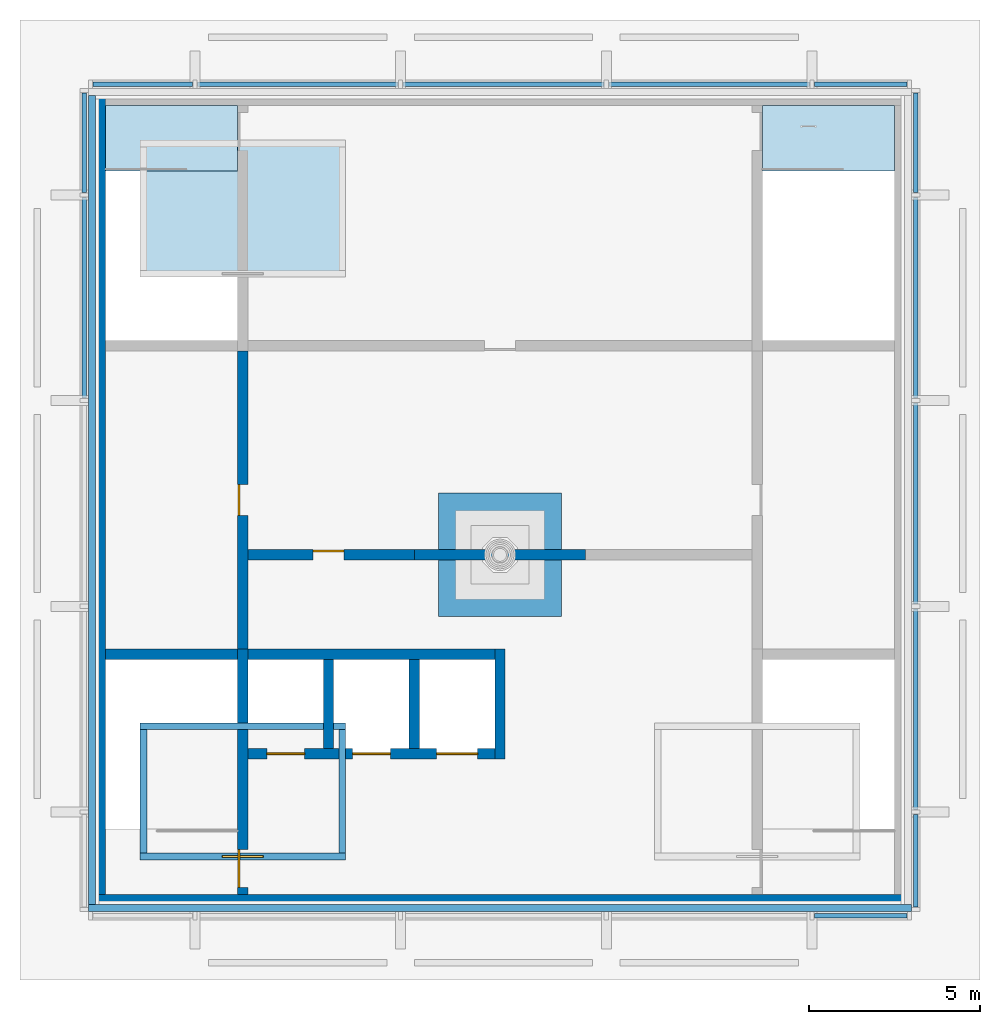
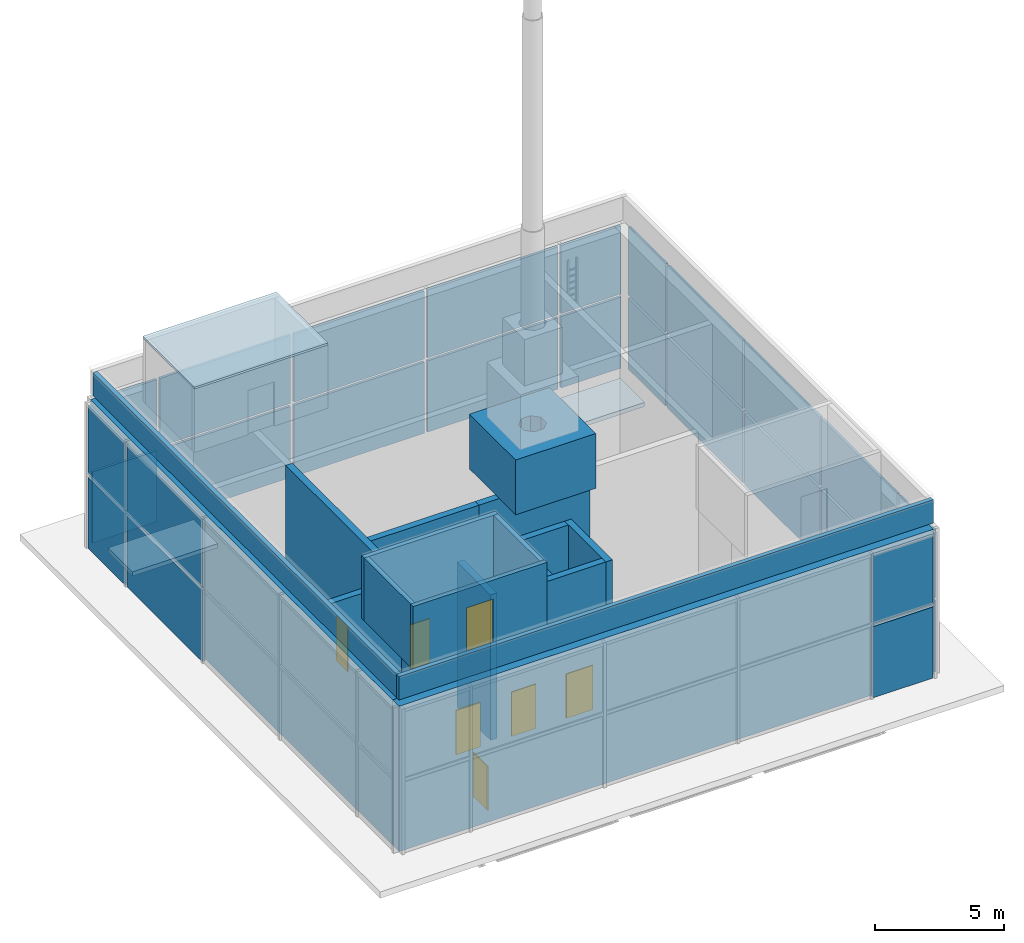
# One storey, part 3 of 8: 27 plates, 19 walls, 7 doors, 2 slabs, 7 openings, 4 elements without a shape of their own.
"""IFC4 building model written with IfcOpenShell, lengths in metres."""

from ifc_helpers import new_model, si_unit, direction, frame, frame_2d, origin, origin_2d, place, context, subcontext, project, spatial, polyline, rectangle, outline, extrude, material, layer, layer_set, type_object, element, fill, aggregate, save


model = new_model("IFC4")

# Units and contexts
model_context = context("Model", 3, precision=1e-05, world=origin(), true_north=direction((0.0, 1.0)))
body_context = subcontext(model_context, "Body", "Model", "MODEL_VIEW")
ifc_project = project(units=[si_unit("LENGTHUNIT", "METRE"), si_unit("AREAUNIT", "SQUARE_METRE"), si_unit("VOLUMEUNIT", "CUBIC_METRE"), si_unit("PLANEANGLEUNIT", "RADIAN"), si_unit("MASSUNIT", "GRAM", prefix="KILO")], contexts=[model_context])

# Site, building, storey
site_placement = place(None, origin())
site = spatial("IfcSite", under=ifc_project, at=site_placement, CompositionType="ELEMENT")
building_placement = place(site_placement, origin())
building = spatial("IfcBuilding", under=site, at=building_placement, Name="Amberfall Residences", CompositionType="ELEMENT")
storey_placement = place(building_placement, frame((0.0, 0.0, 301.60009765625)))
storey = spatial("IfcBuildingStorey", under=building, at=storey_placement, Name="L81 Crown", CompositionType="ELEMENT", Elevation=301.60009765625)

# Curtain wall, plates
ifc_material_1 = material(Name="Bronze anodised aluminium and glass", Category="aluminium")
curtain_wall_type = type_object("IfcCurtainWallType", Name="Curtain wall CW6 crown louvre", PredefinedType="USERDEFINED", material=ifc_material_1)
curtain_wall_1_placement = place(storey_placement, origin())
curtain_wall_1 = element("IfcCurtainWall", 1, at=curtain_wall_1_placement, inside=storey, type_object=curtain_wall_type, Name="Curtain wall L81 Crown S S1", ObjectType="UNITISED CURTAIN WALL", PredefinedType="USERDEFINED")
ifc_material_2 = material(Name="Bronze aluminium louvre", Category="aluminium")
ifc_layer_1 = layer(ifc_material_2, 0.1201171875)
ifc_layer_set_1 = layer_set([ifc_layer_1], Name="CW6 panel 120 louvre")
plate_type_1 = type_object("IfcPlateType", Name="CW6 panel 120 louvre", PredefinedType="CURTAIN_PANEL", material=ifc_layer_set_1)
plate_1_placement = place(storey_placement, frame((85.02001953125, 33.375, 0.0), z_axis=(0.0, 0.0, 1.0), x_axis=(1.0, 0.0, 0.0)))
plate_1 = element("IfcPlate", 2, at=plate_1_placement, type_object=plate_type_1, Name="CW6 panel 5.1", PredefinedType="CURTAIN_PANEL", context=body_context, shape_type="SweptSolid", body=[
    extrude(rectangle(XDim=2.696044921875, YDim=0.1201171875, at=origin_2d()), origin(), (0.0, 0.0, 1.0), 3.375),
])
plate_2_placement = place(storey_placement, frame((85.02001953125, 33.375, 3.52490234375), z_axis=(0.0, 0.0, 1.0), x_axis=(1.0, 0.0, 0.0)))
plate_2 = element("IfcPlate", 3, at=plate_2_placement, type_object=plate_type_1, Name="CW6 panel 5.2", PredefinedType="CURTAIN_PANEL", context=body_context, shape_type="SweptSolid", body=[
    extrude(rectangle(XDim=2.696044921875, YDim=0.1201171875, at=origin_2d()), origin(), (0.0, 0.0, 1.0), 3.22509765625),
])
aggregate(curtain_wall_1, [plate_1, plate_2])

curtain_wall_2_placement = place(storey_placement, origin())
curtain_wall_2 = element("IfcCurtainWall", 4, at=curtain_wall_2_placement, inside=storey, type_object=curtain_wall_type, Name="Curtain wall L81 Crown E E1", ObjectType="UNITISED CURTAIN WALL", PredefinedType="USERDEFINED")
plate_3_placement = place(storey_placement, frame((86.625, 34.97998046875, 0.0), z_axis=(0.0, 0.0, 1.0), x_axis=(0.0, 1.0, 0.0)))
plate_3 = element("IfcPlate", 5, at=plate_3_placement, type_object=plate_type_1, Name="CW6 panel 1.1", PredefinedType="CURTAIN_PANEL", context=body_context, shape_type="SweptSolid", body=[
    extrude(rectangle(XDim=2.696044921875, YDim=0.1201171875, at=origin_2d()), origin(), (0.0, 0.0, 1.0), 3.375),
])
plate_4_placement = place(storey_placement, frame((86.625, 34.97998046875, 3.52490234375), z_axis=(0.0, 0.0, 1.0), x_axis=(0.0, 1.0, 0.0)))
plate_4 = element("IfcPlate", 6, at=plate_4_placement, type_object=plate_type_1, Name="CW6 panel 1.2", PredefinedType="CURTAIN_PANEL", context=body_context, shape_type="SweptSolid", body=[
    extrude(rectangle(XDim=2.696044921875, YDim=0.1201171875, at=origin_2d()), origin(), (0.0, 0.0, 1.0), 3.22509765625),
])
plate_5_placement = place(storey_placement, frame((86.625, 39.39990234375, 0.0), z_axis=(0.0, 0.0, 1.0), x_axis=(0.0, 1.0, 0.0)))
plate_5 = element("IfcPlate", 7, at=plate_5_placement, type_object=plate_type_1, Name="CW6 panel 2.1", PredefinedType="CURTAIN_PANEL", context=body_context, shape_type="SweptSolid", body=[
    extrude(rectangle(XDim=5.85595703125, YDim=0.1201171875, at=origin_2d()), origin(), (0.0, 0.0, 1.0), 3.375),
])
plate_6_placement = place(storey_placement, frame((86.625, 39.39990234375, 3.52490234375), z_axis=(0.0, 0.0, 1.0), x_axis=(0.0, 1.0, 0.0)))
plate_6 = element("IfcPlate", 8, at=plate_6_placement, type_object=plate_type_1, Name="CW6 panel 2.2", PredefinedType="CURTAIN_PANEL", context=body_context, shape_type="SweptSolid", body=[
    extrude(rectangle(XDim=5.85595703125, YDim=0.1201171875, at=origin_2d()), origin(), (0.0, 0.0, 1.0), 3.22509765625),
])
plate_7_placement = place(storey_placement, frame((86.625, 45.39990234375, 0.0), z_axis=(0.0, 0.0, 1.0), x_axis=(0.0, 1.0, 0.0)))
plate_7 = element("IfcPlate", 9, at=plate_7_placement, type_object=plate_type_1, Name="CW6 panel 3.1", PredefinedType="CURTAIN_PANEL", context=body_context, shape_type="SweptSolid", body=[
    extrude(rectangle(XDim=5.85595703125, YDim=0.1201171875, at=origin_2d()), origin(), (0.0, 0.0, 1.0), 3.375),
])
plate_8_placement = place(storey_placement, frame((86.625, 45.39990234375, 3.52490234375), z_axis=(0.0, 0.0, 1.0), x_axis=(0.0, 1.0, 0.0)))
plate_8 = element("IfcPlate", 10, at=plate_8_placement, type_object=plate_type_1, Name="CW6 panel 3.2", PredefinedType="CURTAIN_PANEL", context=body_context, shape_type="SweptSolid", body=[
    extrude(rectangle(XDim=5.85595703125, YDim=0.1201171875, at=origin_2d()), origin(), (0.0, 0.0, 1.0), 3.22509765625),
])
plate_9_placement = place(storey_placement, frame((86.625, 51.39990234375, 0.0), z_axis=(0.0, 0.0, 1.0), x_axis=(0.0, 1.0, 0.0)))
plate_9 = element("IfcPlate", 11, at=plate_9_placement, type_object=plate_type_1, Name="CW6 panel 4.1", PredefinedType="CURTAIN_PANEL", context=body_context, shape_type="SweptSolid", body=[
    extrude(rectangle(XDim=5.85595703125, YDim=0.1201171875, at=origin_2d()), origin(), (0.0, 0.0, 1.0), 3.375),
])
plate_10_placement = place(storey_placement, frame((86.625, 51.39990234375, 3.52490234375), z_axis=(0.0, 0.0, 1.0), x_axis=(0.0, 1.0, 0.0)))
plate_10 = element("IfcPlate", 12, at=plate_10_placement, type_object=plate_type_1, Name="CW6 panel 4.2", PredefinedType="CURTAIN_PANEL", context=body_context, shape_type="SweptSolid", body=[
    extrude(rectangle(XDim=5.85595703125, YDim=0.1201171875, at=origin_2d()), origin(), (0.0, 0.0, 1.0), 3.22509765625),
])
plate_11_placement = place(storey_placement, frame((86.625, 55.919921875, 0.0), z_axis=(0.0, 0.0, 1.0), x_axis=(0.0, 1.0, 0.0)))
plate_11 = element("IfcPlate", 13, at=plate_11_placement, type_object=plate_type_1, Name="CW6 panel 5.1", PredefinedType="CURTAIN_PANEL", context=body_context, shape_type="SweptSolid", body=[
    extrude(rectangle(XDim=2.89599609375, YDim=0.1201171875, at=origin_2d()), origin(), (0.0, 0.0, 1.0), 3.375),
])
plate_12_placement = place(storey_placement, frame((86.625, 55.919921875, 3.52490234375), z_axis=(0.0, 0.0, 1.0), x_axis=(0.0, 1.0, 0.0)))
plate_12 = element("IfcPlate", 14, at=plate_12_placement, type_object=plate_type_1, Name="CW6 panel 5.2", PredefinedType="CURTAIN_PANEL", context=body_context, shape_type="SweptSolid", body=[
    extrude(rectangle(XDim=2.89599609375, YDim=0.1201171875, at=origin_2d()), origin(), (0.0, 0.0, 1.0), 3.22509765625),
])
aggregate(curtain_wall_2, [plate_3, plate_4, plate_5, plate_6, plate_7, plate_8, plate_9, plate_10, plate_11, plate_12])

curtain_wall_3_placement = place(storey_placement, origin())
curtain_wall_3 = element("IfcCurtainWall", 15, at=curtain_wall_3_placement, inside=storey, type_object=curtain_wall_type, Name="Curtain wall L81 Crown N N1", ObjectType="UNITISED CURTAIN WALL", PredefinedType="USERDEFINED")
plate_13_placement = place(storey_placement, frame((85.02001953125, 57.625, 0.0), z_axis=(0.0, 0.0, 1.0), x_axis=(-1.0, 0.0, 0.0)))
plate_13 = element("IfcPlate", 16, at=plate_13_placement, type_object=plate_type_1, Name="CW6 panel 1.1", PredefinedType="CURTAIN_PANEL", context=body_context, shape_type="SweptSolid", body=[
    extrude(rectangle(XDim=2.696044921875, YDim=0.1201171875, at=origin_2d()), origin(), (0.0, 0.0, 1.0), 3.375),
])
plate_14_placement = place(storey_placement, frame((85.02001953125, 57.625, 3.52490234375), z_axis=(0.0, 0.0, 1.0), x_axis=(-1.0, 0.0, 0.0)))
plate_14 = element("IfcPlate", 17, at=plate_14_placement, type_object=plate_type_1, Name="CW6 panel 1.2", PredefinedType="CURTAIN_PANEL", context=body_context, shape_type="SweptSolid", body=[
    extrude(rectangle(XDim=2.696044921875, YDim=0.1201171875, at=origin_2d()), origin(), (0.0, 0.0, 1.0), 3.22509765625),
])
plate_15_placement = place(storey_placement, frame((80.60009765625, 57.625, 0.0), z_axis=(0.0, 0.0, 1.0), x_axis=(-1.0, 0.0, 0.0)))
plate_15 = element("IfcPlate", 18, at=plate_15_placement, type_object=plate_type_1, Name="CW6 panel 2.1", PredefinedType="CURTAIN_PANEL", context=body_context, shape_type="SweptSolid", body=[
    extrude(rectangle(XDim=5.85595703125, YDim=0.1201171875, at=origin_2d()), origin(), (0.0, 0.0, 1.0), 3.375),
])
plate_16_placement = place(storey_placement, frame((80.60009765625, 57.625, 3.52490234375), z_axis=(0.0, 0.0, 1.0), x_axis=(-1.0, 0.0, 0.0)))
plate_16 = element("IfcPlate", 19, at=plate_16_placement, type_object=plate_type_1, Name="CW6 panel 2.2", PredefinedType="CURTAIN_PANEL", context=body_context, shape_type="SweptSolid", body=[
    extrude(rectangle(XDim=5.85595703125, YDim=0.1201171875, at=origin_2d()), origin(), (0.0, 0.0, 1.0), 3.22509765625),
])
plate_17_placement = place(storey_placement, frame((74.60009765625, 57.625, 0.0), z_axis=(0.0, 0.0, 1.0), x_axis=(-1.0, 0.0, 0.0)))
plate_17 = element("IfcPlate", 20, at=plate_17_placement, type_object=plate_type_1, Name="CW6 panel 3.1", PredefinedType="CURTAIN_PANEL", context=body_context, shape_type="SweptSolid", body=[
    extrude(rectangle(XDim=5.85595703125, YDim=0.1201171875, at=origin_2d()), origin(), (0.0, 0.0, 1.0), 3.375),
])
plate_18_placement = place(storey_placement, frame((74.60009765625, 57.625, 3.52490234375), z_axis=(0.0, 0.0, 1.0), x_axis=(-1.0, 0.0, 0.0)))
plate_18 = element("IfcPlate", 21, at=plate_18_placement, type_object=plate_type_1, Name="CW6 panel 3.2", PredefinedType="CURTAIN_PANEL", context=body_context, shape_type="SweptSolid", body=[
    extrude(rectangle(XDim=5.85595703125, YDim=0.1201171875, at=origin_2d()), origin(), (0.0, 0.0, 1.0), 3.22509765625),
])
plate_19_placement = place(storey_placement, frame((68.60009765625, 57.625, 0.0), z_axis=(0.0, 0.0, 1.0), x_axis=(-1.0, 0.0, 0.0)))
plate_19 = element("IfcPlate", 22, at=plate_19_placement, type_object=plate_type_1, Name="CW6 panel 4.1", PredefinedType="CURTAIN_PANEL", context=body_context, shape_type="SweptSolid", body=[
    extrude(rectangle(XDim=5.85595703125, YDim=0.1201171875, at=origin_2d()), origin(), (0.0, 0.0, 1.0), 3.375),
])
plate_20_placement = place(storey_placement, frame((68.60009765625, 57.625, 3.52490234375), z_axis=(0.0, 0.0, 1.0), x_axis=(-1.0, 0.0, 0.0)))
plate_20 = element("IfcPlate", 23, at=plate_20_placement, type_object=plate_type_1, Name="CW6 panel 4.2", PredefinedType="CURTAIN_PANEL", context=body_context, shape_type="SweptSolid", body=[
    extrude(rectangle(XDim=5.85595703125, YDim=0.1201171875, at=origin_2d()), origin(), (0.0, 0.0, 1.0), 3.22509765625),
])
plate_21_placement = place(storey_placement, frame((64.080078125, 57.625, 0.0), z_axis=(0.0, 0.0, 1.0), x_axis=(-1.0, 0.0, 0.0)))
plate_21 = element("IfcPlate", 24, at=plate_21_placement, type_object=plate_type_1, Name="CW6 panel 5.1", PredefinedType="CURTAIN_PANEL", context=body_context, shape_type="SweptSolid", body=[
    extrude(rectangle(XDim=2.89599609375, YDim=0.1201171875, at=origin_2d()), origin(), (0.0, 0.0, 1.0), 3.375),
])
plate_22_placement = place(storey_placement, frame((64.080078125, 57.625, 3.52490234375), z_axis=(0.0, 0.0, 1.0), x_axis=(-1.0, 0.0, 0.0)))
plate_22 = element("IfcPlate", 25, at=plate_22_placement, type_object=plate_type_1, Name="CW6 panel 5.2", PredefinedType="CURTAIN_PANEL", context=body_context, shape_type="SweptSolid", body=[
    extrude(rectangle(XDim=2.89599609375, YDim=0.1201171875, at=origin_2d()), origin(), (0.0, 0.0, 1.0), 3.22509765625),
])
aggregate(curtain_wall_3, [plate_13, plate_14, plate_15, plate_16, plate_17, plate_18, plate_19, plate_20, plate_21, plate_22])

curtain_wall_4_placement = place(storey_placement, origin())
curtain_wall_4 = element("IfcCurtainWall", 26, at=curtain_wall_4_placement, inside=storey, type_object=curtain_wall_type, Name="Curtain wall L81 Crown W W1", ObjectType="UNITISED CURTAIN WALL", PredefinedType="USERDEFINED")
plate_23_placement = place(storey_placement, frame((62.375, 55.919921875, 0.0), z_axis=(0.0, 0.0, 1.0), x_axis=(0.0, -1.0, 0.0)))
plate_23 = element("IfcPlate", 27, at=plate_23_placement, type_object=plate_type_1, Name="CW6 panel 1.1", PredefinedType="CURTAIN_PANEL", context=body_context, shape_type="SweptSolid", body=[
    extrude(rectangle(XDim=2.89599609375, YDim=0.1201171875, at=origin_2d()), origin(), (0.0, 0.0, 1.0), 3.375),
])
plate_24_placement = place(storey_placement, frame((62.375, 55.919921875, 3.52490234375), z_axis=(0.0, 0.0, 1.0), x_axis=(0.0, -1.0, 0.0)))
plate_24 = element("IfcPlate", 28, at=plate_24_placement, type_object=plate_type_1, Name="CW6 panel 1.2", PredefinedType="CURTAIN_PANEL", context=body_context, shape_type="SweptSolid", body=[
    extrude(rectangle(XDim=2.89599609375, YDim=0.1201171875, at=origin_2d()), origin(), (0.0, 0.0, 1.0), 3.22509765625),
])
plate_25_placement = place(storey_placement, frame((62.375, 51.39990234375, 0.0), z_axis=(0.0, 0.0, 1.0), x_axis=(0.0, -1.0, 0.0)))
plate_25 = element("IfcPlate", 29, at=plate_25_placement, type_object=plate_type_1, Name="CW6 panel 2.1", PredefinedType="CURTAIN_PANEL", context=body_context, shape_type="SweptSolid", body=[
    extrude(rectangle(XDim=5.85595703125, YDim=0.1201171875, at=origin_2d()), origin(), (0.0, 0.0, 1.0), 3.375),
])
plate_26_placement = place(storey_placement, frame((62.375, 51.39990234375, 3.52490234375), z_axis=(0.0, 0.0, 1.0), x_axis=(0.0, -1.0, 0.0)))
plate_26 = element("IfcPlate", 30, at=plate_26_placement, type_object=plate_type_1, Name="CW6 panel 2.2", PredefinedType="CURTAIN_PANEL", context=body_context, shape_type="SweptSolid", body=[
    extrude(rectangle(XDim=5.85595703125, YDim=0.1201171875, at=origin_2d()), origin(), (0.0, 0.0, 1.0), 3.22509765625),
])
aggregate(curtain_wall_4, [plate_23, plate_24, plate_25, plate_26])

# Plate
ifc_material_3 = material(Name="Aluminium standing seam roof sheet", Category="aluminium")
ifc_layer_2 = layer(ifc_material_3, 0.10009765625)
ifc_layer_set_2 = layer_set([ifc_layer_2], Name="Plant enclosure roof sheet 100")
plate_type_2 = type_object("IfcPlateType", Name="Plant enclosure roof sheet 100", PredefinedType="SHEET", material=ifc_layer_set_2)
plate_27_placement = place(storey_placement, frame((0.0, 0.0, 10.199951171875)))
element("IfcPlate", 31, at=plate_27_placement, inside=storey, type_object=plate_type_2, Name="Roof plant enclosure 3 roof sheet", PredefinedType="SHEET", context=body_context, shape_type="SweptSolid", body=[
    extrude(outline(polyline([(64.0, 52.0), (70.0, 52.0), (70.0, 56.0), (64.0, 56.0), (64.0, 52.0)])), origin(), (0.0, 0.0, 1.0), 0.099853515625),
])

# Slabs
ifc_material_4 = material(Name="Concrete C40", Category="concrete")
ifc_layer_3 = layer(ifc_material_4, 0.199951171875)
ifc_layer_set_3 = layer_set([ifc_layer_3], Name="Stair landing 200")
slab_type = type_object("IfcSlabType", Name="Stair landing 200", PredefinedType="LANDING", material=ifc_layer_set_3)
slab_1_placement = place(storey_placement, frame((0.0, 0.0, -0.2001953125)))
element("IfcSlab", 32, at=slab_1_placement, inside=storey, type_object=slab_type, Name="L81 Crown stair 3 floor landing", PredefinedType="LANDING", context=body_context, shape_type="SweptSolid", body=[
    extrude(outline(polyline([(82.14990234375, 57.0), (82.14990234375, 55.10009765625), (86.0, 55.10009765625), (86.0, 57.0), (82.14990234375, 57.0)])), origin(), (0.0, 0.0, 1.0), 0.2001953125),
])
slab_2_placement = place(storey_placement, frame((0.0, 0.0, -0.2001953125)))
element("IfcSlab", 33, at=slab_2_placement, inside=storey, type_object=slab_type, Name="L81 Crown stair 4 floor landing", PredefinedType="LANDING", context=body_context, shape_type="SweptSolid", body=[
    extrude(outline(polyline([(63.0, 57.0), (63.0, 55.10009765625), (66.85009765625, 55.10009765625), (66.85009765625, 57.0), (63.0, 57.0)])), origin(), (0.0, 0.0, 1.0), 0.2001953125),
])

# Wall, opening, door
ifc_material_5 = material(Name="Concrete blockwork", Category="masonry")
ifc_layer_4 = layer(ifc_material_5, 0.300048828125)
ifc_layer_set_4 = layer_set([ifc_layer_4], Name="Blockwork partition 300")
wall_type_1 = type_object("IfcWallType", Name="Blockwork partition 300", PredefinedType="PARTITIONING", material=ifc_layer_set_4)
wall_1_placement = place(storey_placement, frame((67.0, 41.14990234375, 0.0), z_axis=(0.0, 0.0, 1.0), x_axis=(0.0, 1.0, 0.0)))
wall_1 = element("IfcWall", 34, at=wall_1_placement, inside=storey, type_object=wall_type_1, Name="L81 Crown core wall W1M", PredefinedType="PARTITIONING", context=body_context, shape_type="SweptSolid", body=[
    extrude(rectangle(XDim=8.7001953125, YDim=0.300048828125, at=frame_2d((4.35009765625, 0.0))), origin(), (0.0, 0.0, 1.0), 6.89990234375),
])
opening_1_placement = place(wall_1_placement, frame((3.89990234375, 0.0, 0.0)))
opening_1 = element("IfcOpeningElement", 35, at=opening_1_placement, cuts=wall_1, Name="Opening RD1", PredefinedType="OPENING", context=body_context, shape_type="SweptSolid", body=[
    extrude(rectangle(XDim=0.89990234375, YDim=2.10009765625, at=frame_2d((0.449951171875, 1.050048828125))), frame((0.0, 0.159912109375, 0.0), z_axis=(0.0, -1.0, 0.0), x_axis=(1.0, 0.0, 0.0)), (0.0, 0.0, 1.0), 0.320068359375),
])
ifc_material_6 = material(Name="Steel fire door set", Category="steel")
door_type_1 = type_object("IfcDoorType", Name="Service room door 900 x 2100", OperationType="SINGLE_SWING_LEFT", PredefinedType="DOOR", material=ifc_material_6)
door_1_placement = place(opening_1_placement, origin())
door_1 = element("IfcDoor", 36, at=door_1_placement, inside=storey, type_object=door_type_1, Name="RD1 L81 Crown", OperationType="SINGLE_SWING_LEFT", OverallHeight=2.10009765625, OverallWidth=0.89990234375, PredefinedType="DOOR", context=body_context, shape_type="SweptSolid", body=[
    extrude(rectangle(XDim=0.89990234375, YDim=2.10009765625, at=frame_2d((0.449951171875, 1.050048828125))), frame((0.0, 0.1376953125, 0.0), z_axis=(0.0, -1.0, 0.0), x_axis=(1.0, 0.0, 0.0)), (0.0, 0.0, 1.0), 0.050048828125),
])
fill(opening_1, door_1)

wall_2_placement = place(storey_placement, frame((67.14990234375, 43.89990234375, 0.0), z_axis=(0.0, 0.0, 1.0), x_axis=(1.0, 0.0, 0.0)))
wall_2 = element("IfcWall", 37, at=wall_2_placement, inside=storey, type_object=wall_type_1, Name="L81 Crown core wall W6", PredefinedType="PARTITIONING", context=body_context, shape_type="SweptSolid", body=[
    extrude(rectangle(XDim=4.85009765625, YDim=0.300048828125, at=frame_2d((2.425048828125, 0.0))), origin(), (0.0, 0.0, 1.0), 6.89990234375),
])
opening_2_placement = place(wall_2_placement, frame((1.89990234375, 0.0, 0.0)))
opening_2 = element("IfcOpeningElement", 38, at=opening_2_placement, cuts=wall_2, Name="Opening RD1", PredefinedType="OPENING", context=body_context, shape_type="SweptSolid", body=[
    extrude(rectangle(XDim=0.89990234375, YDim=2.10009765625, at=frame_2d((0.449951171875, 1.050048828125))), frame((0.0, 0.159912109375, 0.0), z_axis=(0.0, -1.0, 0.0), x_axis=(1.0, 0.0, 0.0)), (0.0, 0.0, 1.0), 0.320068359375),
])
door_2_placement = place(opening_2_placement, origin())
door_2 = element("IfcDoor", 39, at=door_2_placement, inside=storey, type_object=door_type_1, Name="RD1 L81 Crown", OperationType="SINGLE_SWING_LEFT", OverallHeight=2.10009765625, OverallWidth=0.89990234375, PredefinedType="DOOR", context=body_context, shape_type="SweptSolid", body=[
    extrude(rectangle(XDim=0.89990234375, YDim=2.10009765625, at=frame_2d((0.449951171875, 1.050048828125))), frame((0.0, 0.1376953125, 0.0), z_axis=(0.0, -1.0, 0.0), x_axis=(1.0, 0.0, 0.0)), (0.0, 0.0, 1.0), 0.050048828125),
])
fill(opening_2, door_2)

# Wall, openings, doors
wall_3_placement = place(storey_placement, frame((67.14990234375, 38.10009765625, 0.0), z_axis=(0.0, 0.0, 1.0), x_axis=(1.0, 0.0, 0.0)))
wall_3 = element("IfcWall", 40, at=wall_3_placement, inside=storey, type_object=wall_type_1, Name="L81 Crown core wall FFF", PredefinedType="PARTITIONING", context=body_context, shape_type="SweptSolid", body=[
    extrude(rectangle(XDim=7.2001953125, YDim=0.300048828125, at=frame_2d((3.60009765625, 0.0))), origin(), (0.0, 0.0, 1.0), 6.89990234375),
])
opening_3_placement = place(wall_3_placement, frame((0.550048828125, 0.0, 0.0)))
opening_3 = element("IfcOpeningElement", 41, at=opening_3_placement, cuts=wall_3, Name="Opening LD2", PredefinedType="OPENING", context=body_context, shape_type="SweptSolid", body=[
    extrude(rectangle(XDim=1.10009765625, YDim=2.10009765625, at=frame_2d((0.550048828125, 1.050048828125))), frame((0.0, 0.159912109375, 0.0), z_axis=(0.0, -1.0, 0.0), x_axis=(1.0, 0.0, 0.0)), (0.0, 0.0, 1.0), 0.320068359375),
])
opening_4_placement = place(wall_3_placement, frame((3.050048828125, 0.0, 0.0)))
opening_4 = element("IfcOpeningElement", 42, at=opening_4_placement, cuts=wall_3, Name="Opening LD2", PredefinedType="OPENING", context=body_context, shape_type="SweptSolid", body=[
    extrude(rectangle(XDim=1.10009765625, YDim=2.10009765625, at=frame_2d((0.550048828125, 1.050048828125))), frame((0.0, 0.159912109375, 0.0), z_axis=(0.0, -1.0, 0.0), x_axis=(1.0, 0.0, 0.0)), (0.0, 0.0, 1.0), 0.320068359375),
])
opening_5_placement = place(wall_3_placement, frame((5.5, 0.0, 0.0)))
opening_5 = element("IfcOpeningElement", 43, at=opening_5_placement, cuts=wall_3, Name="Opening LD3", PredefinedType="OPENING", context=body_context, shape_type="SweptSolid", body=[
    extrude(rectangle(XDim=1.199951171875, YDim=2.10009765625, at=frame_2d((0.60009765625, 1.050048828125))), frame((0.0, 0.159912109375, 0.0), z_axis=(0.0, -1.0, 0.0), x_axis=(1.0, 0.0, 0.0)), (0.0, 0.0, 1.0), 0.320068359375),
])
door_type_2 = type_object("IfcDoorType", Name="Firefighting lift landing door 1100 x 2100", OperationType="DOUBLE_DOOR_SLIDING", PredefinedType="DOOR", material=ifc_material_6)
door_3_placement = place(opening_3_placement, origin())
door_3 = element("IfcDoor", 44, at=door_3_placement, inside=storey, type_object=door_type_2, Name="Landing door FF1 L81 Crown", OperationType="DOUBLE_DOOR_SLIDING", OverallHeight=2.10009765625, OverallWidth=1.10009765625, PredefinedType="DOOR", context=body_context, shape_type="SweptSolid", body=[
    extrude(rectangle(XDim=1.10009765625, YDim=2.10009765625, at=frame_2d((0.550048828125, 1.050048828125))), frame((0.0, 0.02490234375, 0.0), z_axis=(0.0, -1.0, 0.0), x_axis=(1.0, 0.0, 0.0)), (0.0, 0.0, 1.0), 0.050048828125),
])
fill(opening_3, door_3)
door_4_placement = place(opening_4_placement, origin())
door_4 = element("IfcDoor", 45, at=door_4_placement, inside=storey, type_object=door_type_2, Name="Landing door FF2 L81 Crown", OperationType="DOUBLE_DOOR_SLIDING", OverallHeight=2.10009765625, OverallWidth=1.10009765625, PredefinedType="DOOR", context=body_context, shape_type="SweptSolid", body=[
    extrude(rectangle(XDim=1.10009765625, YDim=2.10009765625, at=frame_2d((0.550048828125, 1.050048828125))), frame((0.0, 0.02490234375, 0.0), z_axis=(0.0, -1.0, 0.0), x_axis=(1.0, 0.0, 0.0)), (0.0, 0.0, 1.0), 0.050048828125),
])
fill(opening_4, door_4)
door_type_3 = type_object("IfcDoorType", Name="Service lift landing door 1200 x 2100", OperationType="DOUBLE_DOOR_SLIDING", PredefinedType="DOOR", material=ifc_material_6)
door_5_placement = place(opening_5_placement, origin())
door_5 = element("IfcDoor", 46, at=door_5_placement, inside=storey, type_object=door_type_3, Name="Landing door SL1 L81 Crown", OperationType="DOUBLE_DOOR_SLIDING", OverallHeight=2.10009765625, OverallWidth=1.199951171875, PredefinedType="DOOR", context=body_context, shape_type="SweptSolid", body=[
    extrude(rectangle(XDim=1.199951171875, YDim=2.10009765625, at=frame_2d((0.60009765625, 1.050048828125))), frame((0.0, 0.02490234375, 0.0), z_axis=(0.0, -1.0, 0.0), x_axis=(1.0, 0.0, 0.0)), (0.0, 0.0, 1.0), 0.050048828125),
])
fill(opening_5, door_5)

# Walls
wall_4_placement = place(storey_placement, frame((67.14990234375, 41.0, 0.0), z_axis=(0.0, 0.0, 1.0), x_axis=(1.0, 0.0, 0.0)))
element("IfcWall", 47, at=wall_4_placement, inside=storey, type_object=wall_type_1, Name="L81 Crown core wall FFS", PredefinedType="PARTITIONING", context=body_context, shape_type="SweptSolid", body=[
    extrude(rectangle(XDim=7.2001953125, YDim=0.300048828125, at=frame_2d((3.60009765625, 0.0))), origin(), (0.0, 0.0, 1.0), 6.89990234375),
])
for number, where, z_axis, x_axis, name in (
    (48, (69.5, 38.25, 0.0), (0.0, 0.0, 1.0), (0.0, 1.0, 0.0), "L81 Crown core wall FFD1"),
    (49, (72.0, 38.25, 0.0), (0.0, 0.0, 1.0), (0.0, 1.0, 0.0), "L81 Crown core wall FFD2"),
):
    element("IfcWall", number, at=place(storey_placement, frame(where, z_axis=z_axis, x_axis=x_axis)), inside=storey, type_object=wall_type_1, Name=name, PredefinedType="PARTITIONING", context=body_context, shape_type="SweptSolid", body=[
        extrude(rectangle(XDim=2.60009765625, YDim=0.300048828125, at=frame_2d((1.300048828125, 0.0))), origin(), (0.0, 0.0, 1.0), 6.89990234375),
    ])
wall_5_placement = place(storey_placement, frame((74.5, 37.949951171875, 0.0), z_axis=(0.0, 0.0, 1.0), x_axis=(0.0, 1.0, 0.0)))
element("IfcWall", 50, at=wall_5_placement, inside=storey, type_object=wall_type_1, Name="L81 Crown core wall FFD3", PredefinedType="PARTITIONING", context=body_context, shape_type="SweptSolid", body=[
    extrude(rectangle(XDim=3.199951171875, YDim=0.300048828125, at=frame_2d((1.60009765625, 0.0))), origin(), (0.0, 0.0, 1.0), 6.89990234375),
])
ifc_material_7 = material(Name="Concrete C50", Category="concrete")
ifc_layer_5 = layer(ifc_material_7, 0.300048828125)
ifc_layer_set_5 = layer_set([ifc_layer_5], Name="Core wall 300 C50")
wall_type_2 = type_object("IfcWallType", Name="Core wall 300 C50", PredefinedType="SHEAR", material=ifc_layer_set_5)
wall_6_placement = place(storey_placement, frame((72.0, 43.89990234375, 0.0), z_axis=(0.0, 0.0, 1.0), x_axis=(1.0, 0.0, 0.0)))
element("IfcWall", 51, at=wall_6_placement, inside=storey, type_object=wall_type_2, Name="Spire pier wall RW10 L81 Crown", PredefinedType="SHEAR", context=body_context, shape_type="SweptSolid", body=[
    extrude(rectangle(XDim=5.0, YDim=0.300048828125, at=frame_2d((2.5, 0.0))), origin(), (0.0, 0.0, 1.0), 6.89990234375),
])
ifc_layer_6 = layer(ifc_material_7, 0.5)
ifc_layer_set_6 = layer_set([ifc_layer_6], Name="Core wall 500 C50")
wall_type_3 = type_object("IfcWallType", Name="Core wall 500 C50", PredefinedType="SHEAR", material=ifc_layer_set_6)
for number, where, z_axis, x_axis, name in (
    (52, (62.5, 33.75, 0.0), (0.0, 0.0, 1.0), (1.0, 0.0, 0.0), "Core wall RW9 L81 Crown OS"),
    (53, (62.75, 33.5, 0.0), (0.0, 0.0, 1.0), (0.0, 1.0, 0.0), "Core wall RW9 L81 Crown OW"),
):
    element("IfcWall", number, at=place(storey_placement, frame(where, z_axis=z_axis, x_axis=x_axis)), inside=storey, type_object=wall_type_3, Name=name, PredefinedType="SHEAR", context=body_context, shape_type="SweptSolid", body=[
        extrude(rectangle(XDim=24.0, YDim=0.5, at=frame_2d((12.0, 0.0))), origin(), (0.0, 0.0, 1.0), 6.89990234375),
    ])
ifc_material_8 = material(Name="Reinforced concrete C50", Category="concrete")
ifc_layer_7 = layer(ifc_material_8, 0.199951171875)
ifc_layer_set_7 = layer_set([ifc_layer_7], Name="Roof parapet 200")
wall_type_4 = type_object("IfcWallType", Name="Roof parapet 200", PredefinedType="PARAPET", material=ifc_layer_set_7)
wall_7_placement = place(storey_placement, frame((62.5, 33.60009765625, 7.199951171875), z_axis=(0.0, 0.0, 1.0), x_axis=(1.0, 0.0, 0.0)))
element("IfcWall", 54, at=wall_7_placement, inside=storey, type_object=wall_type_4, Name="Roof parapet S", PredefinedType="PARAPET", context=body_context, shape_type="SweptSolid", body=[
    extrude(rectangle(XDim=24.0, YDim=0.199951171875, at=frame_2d((12.0, 0.0))), origin(), (0.0, 0.0, 1.0), 1.099853515625),
])
wall_8_placement = place(storey_placement, frame((62.60009765625, 33.699951171875, 7.199951171875), z_axis=(0.0, 0.0, 1.0), x_axis=(0.0, 1.0, 0.0)))
element("IfcWall", 55, at=wall_8_placement, inside=storey, type_object=wall_type_4, Name="Roof parapet W", PredefinedType="PARAPET", context=body_context, shape_type="SweptSolid", body=[
    extrude(rectangle(XDim=23.60009765625, YDim=0.199951171875, at=frame_2d((11.800048828125, 0.0))), origin(), (0.0, 0.0, 1.0), 1.099853515625),
])

# Wall, opening, door
ifc_material_9 = material(Name="Aluminium louvre panel in steel frame", Category="steel")
ifc_layer_8 = layer(ifc_material_9, 0.199951171875)
ifc_layer_set_8 = layer_set([ifc_layer_8], Name="Roof plant louvre wall 200")
wall_type_5 = type_object("IfcWallType", Name="Roof plant louvre wall 200", PredefinedType="SOLIDWALL", material=ifc_layer_set_8)
wall_9_placement = place(storey_placement, frame((64.0, 35.10009765625, 7.199951171875), z_axis=(0.0, 0.0, 1.0), x_axis=(1.0, 0.0, 0.0)))
wall_9 = element("IfcWall", 56, at=wall_9_placement, inside=storey, type_object=wall_type_5, Name="Roof plant enclosure 1 S louvre", PredefinedType="SOLIDWALL", context=body_context, shape_type="SweptSolid", body=[
    extrude(rectangle(XDim=6.0, YDim=0.199951171875, at=frame_2d((3.0, 0.0))), origin(), (0.0, 0.0, 1.0), 3.0),
])
opening_6_placement = place(wall_9_placement, frame((2.39990234375, 0.0, 0.0)))
opening_6 = element("IfcOpeningElement", 57, at=opening_6_placement, cuts=wall_9, Name="Opening D16", PredefinedType="OPENING", context=body_context, shape_type="SweptSolid", body=[
    extrude(rectangle(XDim=1.199951171875, YDim=2.10009765625, at=frame_2d((0.60009765625, 1.050048828125))), frame((0.0, 0.10986328125, 0.0), z_axis=(0.0, -1.0, 0.0), x_axis=(1.0, 0.0, 0.0)), (0.0, 0.0, 1.0), 0.219970703125),
])
ifc_material_10 = material(Name="Louvred galvanised steel door leaf", Category="steel")
door_type_4 = type_object("IfcDoorType", Name="Plant enclosure louvred door 1200x2100", OperationType="SINGLE_SWING_LEFT", PredefinedType="DOOR", material=ifc_material_10)
door_6_placement = place(opening_6_placement, origin())
door_6 = element("IfcDoor", 58, at=door_6_placement, inside=storey, type_object=door_type_4, Name="Roof plant enclosure 1 door", OperationType="SINGLE_SWING_LEFT", OverallHeight=2.10009765625, OverallWidth=1.199951171875, PredefinedType="DOOR", context=body_context, shape_type="SweptSolid", body=[
    extrude(rectangle(XDim=1.199951171875, YDim=2.10009765625, at=frame_2d((0.60009765625, 1.050048828125))), frame((0.0, 0.02490234375, 0.0), z_axis=(0.0, -1.0, 0.0), x_axis=(1.0, 0.0, 0.0)), (0.0, 0.0, 1.0), 0.050048828125),
])
fill(opening_6, door_6)

# Walls
wall_10_placement = place(storey_placement, frame((64.0, 38.89990234375, 7.199951171875), z_axis=(0.0, 0.0, 1.0), x_axis=(1.0, 0.0, 0.0)))
element("IfcWall", 59, at=wall_10_placement, inside=storey, type_object=wall_type_5, Name="Roof plant enclosure 1 N louvre", PredefinedType="SOLIDWALL", context=body_context, shape_type="SweptSolid", body=[
    extrude(rectangle(XDim=6.0, YDim=0.199951171875, at=frame_2d((3.0, 0.0))), origin(), (0.0, 0.0, 1.0), 3.0),
])
for number, where, z_axis, x_axis, name in (
    (60, (64.10009765625, 35.199951171875, 7.199951171875), (0.0, 0.0, 1.0), (0.0, 1.0, 0.0), "Roof plant enclosure 1 W louvre"),
    (61, (69.89990234375, 35.199951171875, 7.199951171875), (0.0, 0.0, 1.0), (0.0, 1.0, 0.0), "Roof plant enclosure 1 E louvre"),
):
    element("IfcWall", number, at=place(storey_placement, frame(where, z_axis=z_axis, x_axis=x_axis)), inside=storey, type_object=wall_type_5, Name=name, PredefinedType="SOLIDWALL", context=body_context, shape_type="SweptSolid", body=[
        extrude(rectangle(XDim=3.60009765625, YDim=0.199951171875, at=frame_2d((1.800048828125, 0.0))), origin(), (0.0, 0.0, 1.0), 3.0),
    ])
ifc_material_11 = material(Name="Reinforced concrete C50 with stone facing", Category="masonry")
ifc_layer_9 = layer(ifc_material_11, 0.5)
ifc_layer_set_9 = layer_set([ifc_layer_9], Name="Spire base block 1")
wall_type_6 = type_object("IfcWallType", Name="Spire base block 1", PredefinedType="SOLIDWALL", material=ifc_layer_set_9)
wall_11_placement = place(storey_placement, frame((0.0, 0.0, 7.199951171875)))
element("IfcWall", 62, at=wall_11_placement, inside=storey, type_object=wall_type_6, Name="Spire base", PredefinedType="SOLIDWALL", context=body_context, shape_type="SweptSolid", body=[
    extrude(outline(polyline([(72.699951171875, 42.10009765625), (76.300048828125, 42.10009765625), (76.300048828125, 45.699951171875), (72.699951171875, 45.699951171875), (72.699951171875, 42.10009765625)]), holes=[polyline([(75.008056640625, 44.110595703125), (74.71044921875, 44.408203125), (74.28955078125, 44.408203125), (73.991943359375, 44.110595703125), (73.991943359375, 43.689453125), (74.28955078125, 43.391845703125), (74.71044921875, 43.391845703125), (75.008056640625, 43.689453125), (75.008056640625, 44.110595703125)])]), origin(), (0.0, 0.0, 1.0), 2.599853515625),
])

# Wall, opening, door
ifc_layer_10 = layer(ifc_material_7, 0.300048828125)
ifc_layer_set_10 = layer_set([ifc_layer_10], Name="Stair well wall 300 C50")
wall_type_7 = type_object("IfcWallType", Name="Stair well wall 300 C50", PredefinedType="SHEAR", material=ifc_layer_set_10)
wall_12_placement = place(storey_placement, frame((67.0, 34.0, 0.0), z_axis=(0.0, 0.0, 1.0), x_axis=(0.0, 1.0, 0.0)))
wall_12 = element("IfcWall", 63, at=wall_12_placement, inside=storey, type_object=wall_type_7, Name="L81 Crown stair well wall W1S", PredefinedType="SHEAR", context=body_context, shape_type="SweptSolid", body=[
    extrude(rectangle(XDim=7.14990234375, YDim=0.300048828125, at=frame_2d((3.574951171875, 0.0))), origin(), (0.0, 0.0, 1.0), 6.89990234375),
])
opening_7_placement = place(wall_12_placement, frame((0.199951171875, 0.0, 0.0)))
opening_7 = element("IfcOpeningElement", 64, at=opening_7_placement, cuts=wall_12, Name="Opening SD1", PredefinedType="OPENING", context=body_context, shape_type="SweptSolid", body=[
    extrude(rectangle(XDim=1.10009765625, YDim=2.10009765625, at=frame_2d((0.550048828125, 1.050048828125))), frame((0.0, 0.159912109375, 0.0), z_axis=(0.0, -1.0, 0.0), x_axis=(1.0, 0.0, 0.0)), (0.0, 0.0, 1.0), 0.320068359375),
])
door_type_5 = type_object("IfcDoorType", Name="Stair door 1100 x 2100", OperationType="SINGLE_SWING_LEFT", PredefinedType="DOOR", material=ifc_material_6)
door_7_placement = place(opening_7_placement, origin())
door_7 = element("IfcDoor", 65, at=door_7_placement, inside=storey, type_object=door_type_5, Name="SD1 L81 Crown", OperationType="SINGLE_SWING_LEFT", OverallHeight=2.10009765625, OverallWidth=1.10009765625, PredefinedType="DOOR", context=body_context, shape_type="SweptSolid", body=[
    extrude(rectangle(XDim=1.10009765625, YDim=2.10009765625, at=frame_2d((0.550048828125, 1.050048828125))), frame((0.0, 0.1376953125, 0.0), z_axis=(0.0, -1.0, 0.0), x_axis=(1.0, 0.0, 0.0)), (0.0, 0.0, 1.0), 0.050048828125),
])
fill(opening_7, door_7)

# Wall
wall_13_placement = place(storey_placement, frame((63.0, 41.0, 0.0), z_axis=(0.0, 0.0, 1.0), x_axis=(1.0, 0.0, 0.0)))
element("IfcWall", 66, at=wall_13_placement, inside=storey, type_object=wall_type_7, Name="L81 Crown stair well wall W3", PredefinedType="SHEAR", context=body_context, shape_type="SweptSolid", body=[
    extrude(rectangle(XDim=3.85009765625, YDim=0.300048828125, at=frame_2d((1.925048828125, 0.0))), origin(), (0.0, 0.0, 1.0), 6.89990234375),
])

save(model, "model.ifc")
